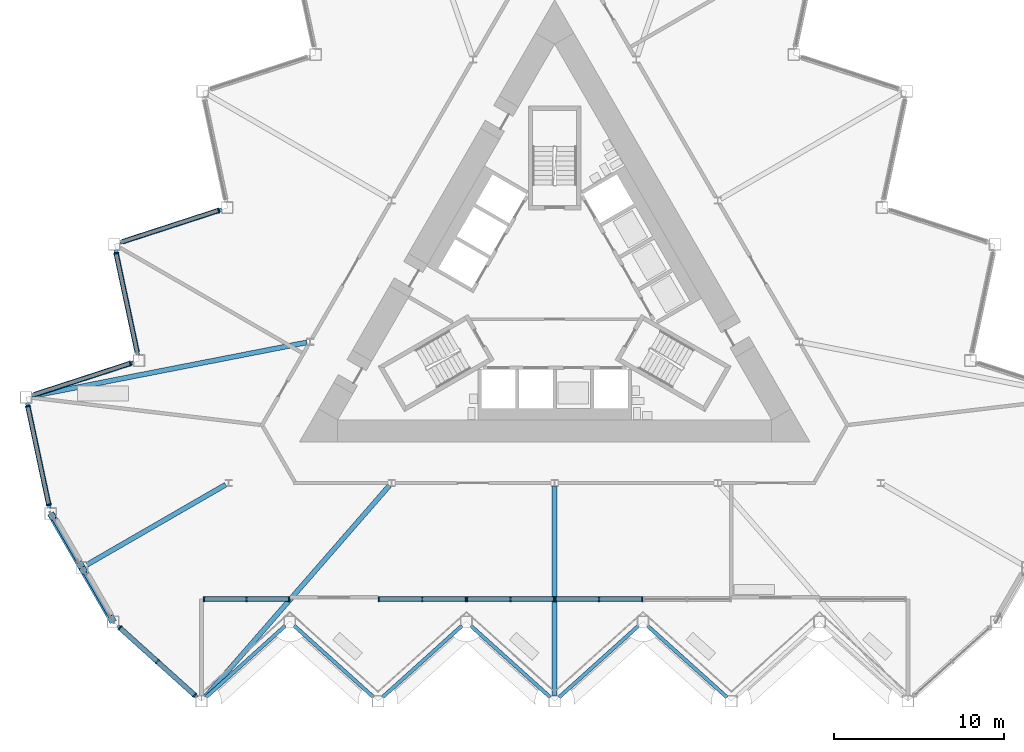
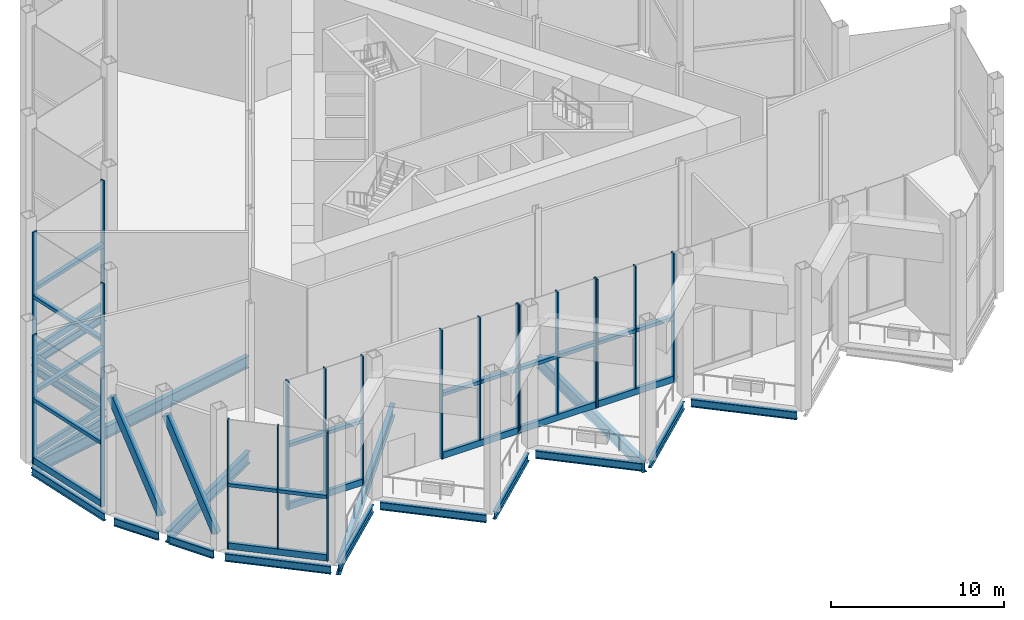
# One storey, part 4 of 17: 45 members, 17 beams, 6 elements without a shape of their own.
"""IFC4 building model written with IfcOpenShell, lengths in metres."""

from ifc_helpers import new_model, si_unit, direction, frame, origin, origin_2d, place, context, subcontext, project, spatial, rectangle, hollow_rectangle, i_section, extrude, material, layer, layer_set, material_profile, profile_set, type_object, element, aggregate, save


model = new_model("IFC4")

# Units and contexts
model_context = context("Model", 3, precision=1e-05, world=origin(), true_north=direction((0.0, 1.0)))
body_context = subcontext(model_context, "Body", "Model", "MODEL_VIEW")
ifc_project = project(units=[si_unit("LENGTHUNIT", "METRE"), si_unit("AREAUNIT", "SQUARE_METRE"), si_unit("VOLUMEUNIT", "CUBIC_METRE"), si_unit("PLANEANGLEUNIT", "RADIAN"), si_unit("MASSUNIT", "GRAM", prefix="KILO")], contexts=[model_context])

# Site, building, storey
site_placement = place(None, origin())
site = spatial("IfcSite", under=ifc_project, at=site_placement, CompositionType="ELEMENT")
building_placement = place(site_placement, origin())
building = spatial("IfcBuilding", under=site, at=building_placement, Name="Cormorant Prow Tower", CompositionType="ELEMENT")
storey_placement = place(building_placement, frame((0.0, 0.0, 277.800048828125)))
storey = spatial("IfcBuildingStorey", under=building, at=storey_placement, Name="L63", CompositionType="ELEMENT", Elevation=277.800048828125)

# Members
ifc_material_1 = material(Name="Structural steel ASTM A500 Gr C", Category="steel")
ifc_material_profile_1 = material_profile(ifc_material_1, hollow_rectangle(XDim=0.406494140625, YDim=0.406494140625, WallThickness=0.01171875, at=origin_2d()), Name="HSS16x16x1/2")
ifc_profile_set_1 = profile_set([ifc_material_profile_1], Name="Structural steel ASTM A500 Gr C")
member_type_1 = type_object("IfcMemberType", Name="Chamfer brace HSS16x16x1/2", PredefinedType="BRACE", material=ifc_profile_set_1)
for number, where, z_axis, x_axis, name in (
    (1, (-27.859619140625, -15.892578125, 0.958251953125), (-0.210649248419, 0.36486853724, 0.90691666909), (-0.866033317326, -0.499986293093, 0.0), "Chamfer brace BR2 at WSW00 L63"),
    (2, (-26.0244140625, -19.0712890625, 0.958251953125), (-0.210649248419, 0.36486853724, 0.90691666909), (-0.866033317326, -0.499986293093, 0.0), "Chamfer brace BR2 at WSW01 L63"),
):
    element("IfcMember", number, at=place(storey_placement, frame(where, z_axis=z_axis, x_axis=x_axis)), inside=storey, type_object=member_type_1, Name=name, PredefinedType="BRACE", context=body_context, shape_type="SweptSolid", body=[
        extrude(hollow_rectangle(XDim=0.406494140625, YDim=0.406494140625, WallThickness=0.01171875, at=origin_2d()), origin(), (0.0, 0.0, 1.0), 7.921630859375),
    ])

# Beams
ifc_material_2 = material(Name="Structural steel ASTM A992 Gr 50", Category="steel")
ifc_material_profile_2 = material_profile(ifc_material_2, i_section(OverallWidth=0.29296875, OverallDepth=0.845703125, WebThickness=0.015380859375, FlangeThickness=0.0244140625, at=origin_2d()), Name="W33x141")
ifc_profile_set_2 = profile_set([ifc_material_profile_2], Name="Structural steel ASTM A992 Gr 50")
beam_type_1 = type_object("IfcBeamType", Name="Radial floor beam W33x141", PredefinedType="BEAM", material=ifc_profile_set_2)
beam_1_placement = place(storey_placement, frame((-14.5634765625, -2.80322265625, -0.77294921875), z_axis=(-0.981419133752, -0.191876220269, 0.0), x_axis=(0.191876220269, -0.981419133752, 0.0)))
element("IfcBeam", 3, at=beam_1_placement, inside=storey, type_object=beam_type_1, Name="Radial floor beam FB2 4 L63", PredefinedType="BEAM", context=body_context, shape_type="SweptSolid", body=[
    extrude(i_section(OverallWidth=0.29296875, OverallDepth=0.845703125, WebThickness=0.015380859375, FlangeThickness=0.0244140625, at=origin_2d()), origin(), (0.0, 0.0, 1.0), 16.462158203125),
])
beam_2_placement = place(storey_placement, frame((-19.32958984375, -11.159912109375, -0.77294921875), z_axis=(-0.866021726843, -0.500006368596, 0.0), x_axis=(0.500006368596, -0.866021726843, 0.0)))
element("IfcBeam", 4, at=beam_2_placement, inside=storey, type_object=beam_type_1, Name="Radial floor beam FB2 5 L63", PredefinedType="BEAM", context=body_context, shape_type="SweptSolid", body=[
    extrude(i_section(OverallWidth=0.29296875, OverallDepth=0.845703125, WebThickness=0.015380859375, FlangeThickness=0.0244140625, at=origin_2d()), origin(), (0.0, 0.0, 1.0), 9.40380859375),
])
beam_3_placement = place(storey_placement, frame((-9.70947265625, -11.210693359375, -0.77294921875), z_axis=(-0.656874593387, -0.753999846527, 0.0), x_axis=(0.753999846527, -0.656874593387, 0.0)))
element("IfcBeam", 5, at=beam_3_placement, inside=storey, type_object=beam_type_1, Name="Radial floor beam FB2 6 L63", PredefinedType="BEAM", context=body_context, shape_type="SweptSolid", body=[
    extrude(i_section(OverallWidth=0.29296875, OverallDepth=0.845703125, WebThickness=0.015380859375, FlangeThickness=0.0244140625, at=origin_2d()), origin(), (0.0, 0.0, 1.0), 16.4619140625),
])
beam_4_placement = place(storey_placement, frame((0.0, -11.259765625, -0.77294921875), z_axis=(0.0, -1.0, 0.0), x_axis=(1.0, 0.0, 0.0)))
element("IfcBeam", 6, at=beam_4_placement, inside=storey, type_object=beam_type_1, Name="Radial floor beam FB2 7 L63", PredefinedType="BEAM", context=body_context, shape_type="SweptSolid", body=[
    extrude(i_section(OverallWidth=0.29296875, OverallDepth=0.845703125, WebThickness=0.015380859375, FlangeThickness=0.0244140625, at=origin_2d()), origin(), (0.0, 0.0, 1.0), 12.277099609375),
])

# Curtain wall, members
ifc_material_3 = material(Name="Aluminium 6063-T6", Category="aluminium")
ifc_layer = layer(ifc_material_3, 0.300048828125)
ifc_layer_set = layer_set([ifc_layer], Name="Aluminium 6063-T6")
curtain_wall_type = type_object("IfcCurtainWallType", Name="Sky lobby unitised curtain wall 300", PredefinedType="NOTDEFINED", material=ifc_layer_set)
curtain_wall_1_placement = place(storey_placement, origin())
curtain_wall_1 = element("IfcCurtainWall", 7, at=curtain_wall_1_placement, inside=storey, type_object=curtain_wall_type, Name="Sky lobby curtain wall S00", PredefinedType="NOTDEFINED")
ifc_material_4 = material(Name="Aluminium 6063-T6", Category="aluminium")
ifc_material_profile_3 = material_profile(ifc_material_4, rectangle(XDim=0.300048828125, YDim=0.239990234375, at=origin_2d()), Name="Sky lobby intermediate transom 300x240")
ifc_profile_set_3 = profile_set([ifc_material_profile_3], Name="Aluminium 6063-T6")
member_type_2 = type_object("IfcMemberType", Name="Sky lobby intermediate transom 300x240", PredefinedType="USERDEFINED", material=ifc_profile_set_3)
member_1_placement = place(storey_placement, frame((-25.509521484375, -19.604248046875, 4.550537109375), z_axis=(0.743184154332, -0.669086924659, 0.0), x_axis=(0.669086924659, 0.743184154332, 0.0)))
member_1 = element("IfcMember", 8, at=member_1_placement, type_object=member_type_2, Name="Sky lobby intermediate transom S00", ObjectType="TRANSOM", PredefinedType="USERDEFINED", context=body_context, shape_type="SweptSolid", body=[
    extrude(rectangle(XDim=0.300048828125, YDim=0.239990234375, at=origin_2d()), origin(), (0.0, 0.0, 1.0), 2.869873046875),
])
member_2_placement = place(storey_placement, frame((-23.3173828125, -21.577880859375, 4.550537109375), z_axis=(0.743146066164, -0.669129228435, 0.0), x_axis=(0.669129228435, 0.743146066164, 0.0)))
member_2 = element("IfcMember", 9, at=member_2_placement, type_object=member_type_2, Name="Sky lobby intermediate transom S00", ObjectType="TRANSOM", PredefinedType="USERDEFINED", context=body_context, shape_type="SweptSolid", body=[
    extrude(rectangle(XDim=0.300048828125, YDim=0.239990234375, at=origin_2d()), origin(), (0.0, 0.0, 1.0), 2.86962890625),
])

curtain_wall_2_placement = place(storey_placement, origin())
curtain_wall_2 = element("IfcCurtainWall", 10, at=curtain_wall_2_placement, inside=storey, type_object=curtain_wall_type, Name="Sky lobby curtain wall WNW00-WNW09", PredefinedType="NOTDEFINED")
member_3_placement = place(storey_placement, frame((-19.78759765625, 4.93505859375, 4.550537109375), z_axis=(-0.951060219088, -0.309005598117, 0.0), x_axis=(0.309005598117, -0.951060219088, 0.0)))
member_3 = element("IfcMember", 11, at=member_3_placement, type_object=member_type_2, Name="Sky lobby intermediate transom WNW00-WNW09", ObjectType="TRANSOM", PredefinedType="USERDEFINED", context=body_context, shape_type="SweptSolid", body=[
    extrude(rectangle(XDim=0.300048828125, YDim=0.239990234375, at=origin_2d()), origin(), (0.0, 0.0, 1.0), 5.899658203125),
])
member_4_placement = place(storey_placement, frame((-25.754150390625, 2.388916015625, 4.550537109375), z_axis=(0.207912209842, -0.978147490412, 0.0), x_axis=(0.978147490412, 0.207912209842, 0.0)))
member_4 = element("IfcMember", 12, at=member_4_placement, type_object=member_type_2, Name="Sky lobby intermediate transom WNW00-WNW09", ObjectType="TRANSOM", PredefinedType="USERDEFINED", context=body_context, shape_type="SweptSolid", body=[
    extrude(rectangle(XDim=0.300048828125, YDim=0.239990234375, at=origin_2d()), origin(), (0.0, 0.0, 1.0), 5.8994140625),
])
member_5_placement = place(storey_placement, frame((-24.975830078125, -4.05126953125, 4.550537109375), z_axis=(-0.951060219088, -0.309005598117, 0.0), x_axis=(0.309005598117, -0.951060219088, 0.0)))
member_5 = element("IfcMember", 13, at=member_5_placement, type_object=member_type_2, Name="Sky lobby intermediate transom WNW00-WNW09", ObjectType="TRANSOM", PredefinedType="USERDEFINED", context=body_context, shape_type="SweptSolid", body=[
    extrude(rectangle(XDim=0.300048828125, YDim=0.239990234375, at=origin_2d()), origin(), (0.0, 0.0, 1.0), 5.899658203125),
])
member_6_placement = place(storey_placement, frame((-30.9423828125, -6.597412109375, 4.550537109375), z_axis=(0.207912943458, -0.978147334476, 0.0), x_axis=(0.978147334476, 0.207912943458, 0.0)))
member_6 = element("IfcMember", 14, at=member_6_placement, type_object=member_type_2, Name="Sky lobby intermediate transom WNW00-WNW09", ObjectType="TRANSOM", PredefinedType="USERDEFINED", context=body_context, shape_type="SweptSolid", body=[
    extrude(rectangle(XDim=0.300048828125, YDim=0.239990234375, at=origin_2d()), origin(), (0.0, 0.0, 1.0), 5.819580078125),
])

curtain_wall_3_placement = place(storey_placement, origin())
curtain_wall_3 = element("IfcCurtainWall", 15, at=curtain_wall_3_placement, inside=storey, type_object=curtain_wall_type, Name="Sky lobby curtain wall loggia S01", PredefinedType="NOTDEFINED")
member_7_placement = place(storey_placement, frame((-20.56298828125, -17.886962890625, 4.550537109375), z_axis=(1.0, 0.0, 0.0), x_axis=(0.0, 1.0, 0.0)))
member_7 = element("IfcMember", 16, at=member_7_placement, type_object=member_type_2, Name="Sky lobby intermediate transom loggia S01", ObjectType="TRANSOM", PredefinedType="USERDEFINED", context=body_context, shape_type="SweptSolid", body=[
    extrude(rectangle(XDim=0.300048828125, YDim=0.239990234375, at=origin_2d()), origin(), (0.0, 0.0, 1.0), 2.419189453125),
])
member_8_placement = place(storey_placement, frame((-18.063720703125, -17.886962890625, 4.550537109375), z_axis=(1.0, 0.0, 0.0), x_axis=(0.0, 1.0, 0.0)))
member_8 = element("IfcMember", 17, at=member_8_placement, type_object=member_type_2, Name="Sky lobby intermediate transom loggia S01", ObjectType="TRANSOM", PredefinedType="USERDEFINED", context=body_context, shape_type="SweptSolid", body=[
    extrude(rectangle(XDim=0.300048828125, YDim=0.239990234375, at=origin_2d()), origin(), (0.0, 0.0, 1.0), 2.4189453125),
])

curtain_wall_4_placement = place(storey_placement, origin())
curtain_wall_4 = element("IfcCurtainWall", 18, at=curtain_wall_4_placement, inside=storey, type_object=curtain_wall_type, Name="Sky lobby curtain wall loggia S03", PredefinedType="NOTDEFINED")
member_9_placement = place(storey_placement, frame((-10.29638671875, -17.886962890625, 4.550537109375), z_axis=(1.0, 0.0, 0.0), x_axis=(0.0, 1.0, 0.0)))
member_9 = element("IfcMember", 19, at=member_9_placement, type_object=member_type_2, Name="Sky lobby intermediate transom loggia S03", ObjectType="TRANSOM", PredefinedType="USERDEFINED", context=body_context, shape_type="SweptSolid", body=[
    extrude(rectangle(XDim=0.300048828125, YDim=0.239990234375, at=origin_2d()), origin(), (0.0, 0.0, 1.0), 2.47412109375),
])
member_10_placement = place(storey_placement, frame((-7.742431640625, -17.886962890625, 4.550537109375), z_axis=(1.0, 0.0, 0.0), x_axis=(0.0, 1.0, 0.0)))
member_10 = element("IfcMember", 20, at=member_10_placement, type_object=member_type_2, Name="Sky lobby intermediate transom loggia S03", ObjectType="TRANSOM", PredefinedType="USERDEFINED", context=body_context, shape_type="SweptSolid", body=[
    extrude(rectangle(XDim=0.300048828125, YDim=0.239990234375, at=origin_2d()), origin(), (0.0, 0.0, 1.0), 2.47412109375),
])

curtain_wall_5_placement = place(storey_placement, origin())
curtain_wall_5 = element("IfcCurtainWall", 21, at=curtain_wall_5_placement, inside=storey, type_object=curtain_wall_type, Name="Sky lobby curtain wall loggia S04", PredefinedType="NOTDEFINED")
member_11_placement = place(storey_placement, frame((-5.108154296875, -17.886962890625, 4.550537109375), z_axis=(1.0, 0.0, 0.0), x_axis=(0.0, 1.0, 0.0)))
member_11 = element("IfcMember", 22, at=member_11_placement, type_object=member_type_2, Name="Sky lobby intermediate transom loggia S04", ObjectType="TRANSOM", PredefinedType="USERDEFINED", context=body_context, shape_type="SweptSolid", body=[
    extrude(rectangle(XDim=0.300048828125, YDim=0.239990234375, at=origin_2d()), origin(), (0.0, 0.0, 1.0), 2.47412109375),
])
member_12_placement = place(storey_placement, frame((-2.55419921875, -17.886962890625, 4.550537109375), z_axis=(1.0, 0.0, 0.0), x_axis=(0.0, 1.0, 0.0)))
member_12 = element("IfcMember", 23, at=member_12_placement, type_object=member_type_2, Name="Sky lobby intermediate transom loggia S04", ObjectType="TRANSOM", PredefinedType="USERDEFINED", context=body_context, shape_type="SweptSolid", body=[
    extrude(rectangle(XDim=0.300048828125, YDim=0.239990234375, at=origin_2d()), origin(), (0.0, 0.0, 1.0), 2.47412109375),
])

curtain_wall_6_placement = place(storey_placement, origin())
curtain_wall_6 = element("IfcCurtainWall", 24, at=curtain_wall_6_placement, inside=storey, type_object=curtain_wall_type, Name="Sky lobby curtain wall loggia S05", PredefinedType="NOTDEFINED")
member_13_placement = place(storey_placement, frame((0.080078125, -17.886962890625, 4.550537109375), z_axis=(1.0, 0.0, 0.0), x_axis=(0.0, 1.0, 0.0)))
member_13 = element("IfcMember", 25, at=member_13_placement, type_object=member_type_2, Name="Sky lobby intermediate transom loggia S05", ObjectType="TRANSOM", PredefinedType="USERDEFINED", context=body_context, shape_type="SweptSolid", body=[
    extrude(rectangle(XDim=0.300048828125, YDim=0.239990234375, at=origin_2d()), origin(), (0.0, 0.0, 1.0), 2.47412109375),
])
member_14_placement = place(storey_placement, frame((2.634033203125, -17.886962890625, 4.550537109375), z_axis=(1.0, 0.0, 0.0), x_axis=(0.0, 1.0, 0.0)))
member_14 = element("IfcMember", 26, at=member_14_placement, type_object=member_type_2, Name="Sky lobby intermediate transom loggia S05", ObjectType="TRANSOM", PredefinedType="USERDEFINED", context=body_context, shape_type="SweptSolid", body=[
    extrude(rectangle(XDim=0.300048828125, YDim=0.239990234375, at=origin_2d()), origin(), (0.0, 0.0, 1.0), 2.47412109375),
])

# Member
ifc_material_5 = material(Name="Aluminium 6063-T6", Category="aluminium")
ifc_material_profile_4 = material_profile(ifc_material_5, rectangle(XDim=0.300048828125, YDim=0.080078125, at=origin_2d()), Name="Sky lobby mullion 80x300")
ifc_profile_set_4 = profile_set([ifc_material_profile_4], Name="Aluminium 6063-T6")
member_type_3 = type_object("IfcMemberType", Name="Sky lobby mullion 80x300", PredefinedType="MULLION", material=ifc_profile_set_4)
member_15_placement = place(storey_placement, frame((-25.5390625, -19.577392578125, 0.0), z_axis=(0.0, 0.0, 1.0), x_axis=(0.669130584309, 0.743144845331, 0.0)))
member_15 = element("IfcMember", 27, at=member_15_placement, type_object=member_type_3, Name="Sky lobby mullion S00", PredefinedType="MULLION", context=body_context, shape_type="SweptSolid", body=[
    extrude(rectangle(XDim=0.300048828125, YDim=0.080078125, at=origin_2d()), origin(), (0.0, 0.0, 1.0), 9.100830078125),
])

member_16_placement = place(storey_placement, frame((-23.34716796875, -21.55126953125, 0.449951171875), z_axis=(0.0, 0.0, 1.0), x_axis=(0.669130584309, 0.743144845331, 0.0)))
member_16 = element("IfcMember", 28, at=member_16_placement, type_object=member_type_3, Name="Sky lobby mullion S00", PredefinedType="MULLION", context=body_context, shape_type="SweptSolid", body=[
    extrude(rectangle(XDim=0.300048828125, YDim=0.080078125, at=origin_2d()), origin(), (0.0, 0.0, 1.0), 8.65087890625),
])

member_17_placement = place(storey_placement, frame((-21.155029296875, -23.52490234375, 0.0), z_axis=(0.0, 0.0, 1.0), x_axis=(0.669130584309, 0.743144845331, 0.0)))
member_17 = element("IfcMember", 29, at=member_17_placement, type_object=member_type_3, Name="Sky lobby mullion S00", PredefinedType="MULLION", context=body_context, shape_type="SweptSolid", body=[
    extrude(rectangle(XDim=0.300048828125, YDim=0.080078125, at=origin_2d()), origin(), (0.0, 0.0, 1.0), 9.100830078125),
])

member_18_placement = place(storey_placement, frame((-19.749755859375, 4.947265625, 0.0), z_axis=(0.0, 0.0, 1.0), x_axis=(0.309016942337, -0.951056533203, 0.0)))
member_18 = element("IfcMember", 30, at=member_18_placement, type_object=member_type_3, Name="Sky lobby mullion WNW00-WNW09", PredefinedType="MULLION", context=body_context, shape_type="SweptSolid", body=[
    extrude(rectangle(XDim=0.300048828125, YDim=0.080078125, at=origin_2d()), origin(), (0.0, 0.0, 1.0), 9.100830078125),
])

member_19_placement = place(storey_placement, frame((-25.762451171875, 2.427978515625, 0.0), z_axis=(0.0, 0.0, 1.0), x_axis=(0.97814761105, 0.207911642282, 0.0)))
member_19 = element("IfcMember", 31, at=member_19_placement, type_object=member_type_3, Name="Sky lobby mullion WNW00-WNW09", PredefinedType="MULLION", context=body_context, shape_type="SweptSolid", body=[
    extrude(rectangle(XDim=0.300048828125, YDim=0.080078125, at=origin_2d()), origin(), (0.0, 0.0, 1.0), 9.100830078125),
])

member_20_placement = place(storey_placement, frame((-24.93798828125, -4.038818359375, 0.0), z_axis=(0.0, 0.0, 1.0), x_axis=(0.309016984432, -0.951056519526, 0.0)))
member_20 = element("IfcMember", 32, at=member_20_placement, type_object=member_type_3, Name="Sky lobby mullion WNW00-WNW09", PredefinedType="MULLION", context=body_context, shape_type="SweptSolid", body=[
    extrude(rectangle(XDim=0.300048828125, YDim=0.080078125, at=origin_2d()), origin(), (0.0, 0.0, 1.0), 9.100830078125),
])

member_21_placement = place(storey_placement, frame((-30.95068359375, -6.558349609375, 0.0), z_axis=(0.0, 0.0, 1.0), x_axis=(0.97814760486, 0.207911671407, 0.0)))
member_21 = element("IfcMember", 33, at=member_21_placement, type_object=member_type_3, Name="Sky lobby mullion WNW00-WNW09", PredefinedType="MULLION", context=body_context, shape_type="SweptSolid", body=[
    extrude(rectangle(XDim=0.300048828125, YDim=0.080078125, at=origin_2d()), origin(), (0.0, 0.0, 1.0), 9.100830078125),
])

member_22_placement = place(storey_placement, frame((-29.72412109375, -12.328857421875, 0.0), z_axis=(0.0, 0.0, 1.0), x_axis=(0.97814760486, 0.207911671407, 0.0)))
member_22 = element("IfcMember", 34, at=member_22_placement, type_object=member_type_3, Name="Sky lobby mullion WNW00-WNW09", PredefinedType="MULLION", context=body_context, shape_type="SweptSolid", body=[
    extrude(rectangle(XDim=0.300048828125, YDim=0.080078125, at=origin_2d()), origin(), (0.0, 0.0, 1.0), 9.100830078125),
])

member_23_placement = place(storey_placement, frame((-20.60302734375, -17.886962890625, 0.0), z_axis=(0.0, 0.0, 1.0), x_axis=(0.0, 1.0, 0.0)))
member_23 = element("IfcMember", 35, at=member_23_placement, type_object=member_type_3, Name="Sky lobby mullion loggia S01", PredefinedType="MULLION", context=body_context, shape_type="SweptSolid", body=[
    extrude(rectangle(XDim=0.300048828125, YDim=0.080078125, at=origin_2d()), origin(), (0.0, 0.0, 1.0), 9.100830078125),
])

member_24_placement = place(storey_placement, frame((-18.103759765625, -17.886962890625, 0.449951171875), z_axis=(0.0, 0.0, 1.0), x_axis=(0.0, 1.0, 0.0)))
member_24 = element("IfcMember", 36, at=member_24_placement, type_object=member_type_3, Name="Sky lobby mullion loggia S01", PredefinedType="MULLION", context=body_context, shape_type="SweptSolid", body=[
    extrude(rectangle(XDim=0.300048828125, YDim=0.080078125, at=origin_2d()), origin(), (0.0, 0.0, 1.0), 8.65087890625),
])

member_25_placement = place(storey_placement, frame((-15.604736328125, -17.886962890625, 0.0), z_axis=(0.0, 0.0, 1.0), x_axis=(0.0, 1.0, 0.0)))
member_25 = element("IfcMember", 37, at=member_25_placement, type_object=member_type_3, Name="Sky lobby mullion loggia S01", PredefinedType="MULLION", context=body_context, shape_type="SweptSolid", body=[
    extrude(rectangle(XDim=0.300048828125, YDim=0.080078125, at=origin_2d()), origin(), (0.0, 0.0, 1.0), 9.100830078125),
])

member_26_placement = place(storey_placement, frame((-10.33642578125, -17.886962890625, 0.0), z_axis=(0.0, 0.0, 1.0), x_axis=(0.0, 1.0, 0.0)))
member_26 = element("IfcMember", 38, at=member_26_placement, type_object=member_type_3, Name="Sky lobby mullion loggia S03", PredefinedType="MULLION", context=body_context, shape_type="SweptSolid", body=[
    extrude(rectangle(XDim=0.300048828125, YDim=0.080078125, at=origin_2d()), origin(), (0.0, 0.0, 1.0), 9.100830078125),
])

member_27_placement = place(storey_placement, frame((-7.782470703125, -17.886962890625, 0.449951171875), z_axis=(0.0, 0.0, 1.0), x_axis=(0.0, 1.0, 0.0)))
member_27 = element("IfcMember", 39, at=member_27_placement, type_object=member_type_3, Name="Sky lobby mullion loggia S03", PredefinedType="MULLION", context=body_context, shape_type="SweptSolid", body=[
    extrude(rectangle(XDim=0.300048828125, YDim=0.080078125, at=origin_2d()), origin(), (0.0, 0.0, 1.0), 8.65087890625),
])

member_28_placement = place(storey_placement, frame((-5.228271484375, -17.886962890625, 0.0), z_axis=(0.0, 0.0, 1.0), x_axis=(0.0, 1.0, 0.0)))
member_28 = element("IfcMember", 40, at=member_28_placement, type_object=member_type_3, Name="Sky lobby mullion loggia S03", PredefinedType="MULLION", context=body_context, shape_type="SweptSolid", body=[
    extrude(rectangle(XDim=0.300048828125, YDim=0.080078125, at=origin_2d()), origin(), (0.0, 0.0, 1.0), 9.100830078125),
])

member_29_placement = place(storey_placement, frame((-5.148193359375, -17.886962890625, 0.0), z_axis=(0.0, 0.0, 1.0), x_axis=(0.0, 1.0, 0.0)))
member_29 = element("IfcMember", 41, at=member_29_placement, type_object=member_type_3, Name="Sky lobby mullion loggia S04", PredefinedType="MULLION", context=body_context, shape_type="SweptSolid", body=[
    extrude(rectangle(XDim=0.300048828125, YDim=0.080078125, at=origin_2d()), origin(), (0.0, 0.0, 1.0), 9.100830078125),
])

member_30_placement = place(storey_placement, frame((-2.59423828125, -17.886962890625, 0.449951171875), z_axis=(0.0, 0.0, 1.0), x_axis=(0.0, 1.0, 0.0)))
member_30 = element("IfcMember", 42, at=member_30_placement, type_object=member_type_3, Name="Sky lobby mullion loggia S04", PredefinedType="MULLION", context=body_context, shape_type="SweptSolid", body=[
    extrude(rectangle(XDim=0.300048828125, YDim=0.080078125, at=origin_2d()), origin(), (0.0, 0.0, 1.0), 8.65087890625),
])

member_31_placement = place(storey_placement, frame((-0.0400390625, -17.886962890625, 0.0), z_axis=(0.0, 0.0, 1.0), x_axis=(0.0, 1.0, 0.0)))
member_31 = element("IfcMember", 43, at=member_31_placement, type_object=member_type_3, Name="Sky lobby mullion loggia S04", PredefinedType="MULLION", context=body_context, shape_type="SweptSolid", body=[
    extrude(rectangle(XDim=0.300048828125, YDim=0.080078125, at=origin_2d()), origin(), (0.0, 0.0, 1.0), 9.100830078125),
])

member_32_placement = place(storey_placement, frame((0.0400390625, -17.886962890625, 0.0), z_axis=(0.0, 0.0, 1.0), x_axis=(0.0, 1.0, 0.0)))
member_32 = element("IfcMember", 44, at=member_32_placement, type_object=member_type_3, Name="Sky lobby mullion loggia S05", PredefinedType="MULLION", context=body_context, shape_type="SweptSolid", body=[
    extrude(rectangle(XDim=0.300048828125, YDim=0.080078125, at=origin_2d()), origin(), (0.0, 0.0, 1.0), 9.100830078125),
])

member_33_placement = place(storey_placement, frame((2.59423828125, -17.886962890625, 0.449951171875), z_axis=(0.0, 0.0, 1.0), x_axis=(0.0, 1.0, 0.0)))
member_33 = element("IfcMember", 45, at=member_33_placement, type_object=member_type_3, Name="Sky lobby mullion loggia S05", PredefinedType="MULLION", context=body_context, shape_type="SweptSolid", body=[
    extrude(rectangle(XDim=0.300048828125, YDim=0.080078125, at=origin_2d()), origin(), (0.0, 0.0, 1.0), 8.65087890625),
])

member_34_placement = place(storey_placement, frame((5.148193359375, -17.886962890625, 0.0), z_axis=(0.0, 0.0, 1.0), x_axis=(0.0, 1.0, 0.0)))
member_34 = element("IfcMember", 46, at=member_34_placement, type_object=member_type_3, Name="Sky lobby mullion loggia S05", PredefinedType="MULLION", context=body_context, shape_type="SweptSolid", body=[
    extrude(rectangle(XDim=0.300048828125, YDim=0.080078125, at=origin_2d()), origin(), (0.0, 0.0, 1.0), 9.100830078125),
])

ifc_material_6 = material(Name="Terracotta", Category="masonry")
ifc_material_profile_5 = material_profile(ifc_material_6, rectangle(XDim=0.219970703125, YDim=0.449951171875, at=origin_2d()), Name="Sky lobby terracotta spandrel rail 220x450")
ifc_profile_set_5 = profile_set([ifc_material_profile_5], Name="Terracotta")
member_type_4 = type_object("IfcMemberType", Name="Sky lobby terracotta spandrel rail 220x450", PredefinedType="USERDEFINED", material=ifc_profile_set_5)
member_35_placement = place(storey_placement, frame((-25.509521484375, -19.604248046875, 0.224853515625), z_axis=(0.743160622624, -0.669113061433, 0.0), x_axis=(0.669113061433, 0.743160622624, 0.0)))
member_35 = element("IfcMember", 47, at=member_35_placement, type_object=member_type_4, Name="Sky lobby spandrel rail S00", ObjectType="TRANSOM", PredefinedType="USERDEFINED", context=body_context, shape_type="SweptSolid", body=[
    extrude(rectangle(XDim=0.219970703125, YDim=0.449951171875, at=origin_2d()), origin(), (0.0, 0.0, 1.0), 5.8193359375),
])

aggregate(curtain_wall_1, [member_15, member_16, member_17, member_35, member_1, member_2])

member_36_placement = place(storey_placement, frame((-19.78759765625, 4.93505859375, 0.224853515625), z_axis=(-0.951060219088, -0.309005598117, 0.0), x_axis=(0.309005598117, -0.951060219088, 0.0)))
member_36 = element("IfcMember", 48, at=member_36_placement, type_object=member_type_4, Name="Sky lobby spandrel rail WNW00-WNW09", ObjectType="TRANSOM", PredefinedType="USERDEFINED", context=body_context, shape_type="SweptSolid", body=[
    extrude(rectangle(XDim=0.219970703125, YDim=0.449951171875, at=origin_2d()), origin(), (0.0, 0.0, 1.0), 5.899658203125),
])

member_37_placement = place(storey_placement, frame((-25.754150390625, 2.388916015625, 0.224853515625), z_axis=(0.207912209842, -0.978147490412, 0.0), x_axis=(0.978147490412, 0.207912209842, 0.0)))
member_37 = element("IfcMember", 49, at=member_37_placement, type_object=member_type_4, Name="Sky lobby spandrel rail WNW00-WNW09", ObjectType="TRANSOM", PredefinedType="USERDEFINED", context=body_context, shape_type="SweptSolid", body=[
    extrude(rectangle(XDim=0.219970703125, YDim=0.449951171875, at=origin_2d()), origin(), (0.0, 0.0, 1.0), 5.8994140625),
])

member_38_placement = place(storey_placement, frame((-24.975830078125, -4.05126953125, 0.224853515625), z_axis=(-0.951060219088, -0.309005598117, 0.0), x_axis=(0.309005598117, -0.951060219088, 0.0)))
member_38 = element("IfcMember", 50, at=member_38_placement, type_object=member_type_4, Name="Sky lobby spandrel rail WNW00-WNW09", ObjectType="TRANSOM", PredefinedType="USERDEFINED", context=body_context, shape_type="SweptSolid", body=[
    extrude(rectangle(XDim=0.219970703125, YDim=0.449951171875, at=origin_2d()), origin(), (0.0, 0.0, 1.0), 5.899658203125),
])

member_39_placement = place(storey_placement, frame((-30.9423828125, -6.597412109375, 0.224853515625), z_axis=(0.207912943458, -0.978147334476, 0.0), x_axis=(0.978147334476, 0.207912943458, 0.0)))
member_39 = element("IfcMember", 51, at=member_39_placement, type_object=member_type_4, Name="Sky lobby spandrel rail WNW00-WNW09", ObjectType="TRANSOM", PredefinedType="USERDEFINED", context=body_context, shape_type="SweptSolid", body=[
    extrude(rectangle(XDim=0.219970703125, YDim=0.449951171875, at=origin_2d()), origin(), (0.0, 0.0, 1.0), 5.819580078125),
])

aggregate(curtain_wall_2, [member_18, member_36, member_3, member_19, member_37, member_4, member_20, member_38, member_5, member_21, member_22, member_39, member_6])

member_40_placement = place(storey_placement, frame((-20.56298828125, -17.886962890625, 0.224853515625), z_axis=(1.0, 0.0, 0.0), x_axis=(0.0, 1.0, 0.0)))
member_40 = element("IfcMember", 52, at=member_40_placement, type_object=member_type_4, Name="Sky lobby spandrel rail loggia S01", ObjectType="TRANSOM", PredefinedType="USERDEFINED", context=body_context, shape_type="SweptSolid", body=[
    extrude(rectangle(XDim=0.219970703125, YDim=0.449951171875, at=origin_2d()), origin(), (0.0, 0.0, 1.0), 4.918212890625),
])

aggregate(curtain_wall_3, [member_23, member_24, member_25, member_40, member_7, member_8])

member_41_placement = place(storey_placement, frame((-10.29638671875, -17.886962890625, 0.224853515625), z_axis=(1.0, 0.0, 0.0), x_axis=(0.0, 1.0, 0.0)))
member_41 = element("IfcMember", 53, at=member_41_placement, type_object=member_type_4, Name="Sky lobby spandrel rail loggia S03", ObjectType="TRANSOM", PredefinedType="USERDEFINED", context=body_context, shape_type="SweptSolid", body=[
    extrude(rectangle(XDim=0.219970703125, YDim=0.449951171875, at=origin_2d()), origin(), (0.0, 0.0, 1.0), 5.028076171875),
])

aggregate(curtain_wall_4, [member_26, member_27, member_28, member_41, member_9, member_10])

member_42_placement = place(storey_placement, frame((-5.108154296875, -17.886962890625, 0.224853515625), z_axis=(1.0, 0.0, 0.0), x_axis=(0.0, 1.0, 0.0)))
member_42 = element("IfcMember", 54, at=member_42_placement, type_object=member_type_4, Name="Sky lobby spandrel rail loggia S04", ObjectType="TRANSOM", PredefinedType="USERDEFINED", context=body_context, shape_type="SweptSolid", body=[
    extrude(rectangle(XDim=0.219970703125, YDim=0.449951171875, at=origin_2d()), origin(), (0.0, 0.0, 1.0), 5.028076171875),
])

aggregate(curtain_wall_5, [member_29, member_30, member_31, member_42, member_11, member_12])

member_43_placement = place(storey_placement, frame((0.080078125, -17.886962890625, 0.224853515625), z_axis=(1.0, 0.0, 0.0), x_axis=(0.0, 1.0, 0.0)))
member_43 = element("IfcMember", 55, at=member_43_placement, type_object=member_type_4, Name="Sky lobby spandrel rail loggia S05", ObjectType="TRANSOM", PredefinedType="USERDEFINED", context=body_context, shape_type="SweptSolid", body=[
    extrude(rectangle(XDim=0.219970703125, YDim=0.449951171875, at=origin_2d()), origin(), (0.0, 0.0, 1.0), 5.028076171875),
])

aggregate(curtain_wall_6, [member_32, member_33, member_34, member_43, member_13, member_14])

# Beams
ifc_material_7 = material(Name="Structural steel ASTM A992 Gr 50", Category="steel")
ifc_material_profile_6 = material_profile(ifc_material_7, i_section(OverallWidth=0.2138671875, OverallDepth=0.549072265625, WebThickness=0.0146484375, FlangeThickness=0.023681640625, at=origin_2d()), Name="W21x93")
ifc_profile_set_6 = profile_set([ifc_material_profile_6], Name="Structural steel ASTM A992 Gr 50")
beam_type_2 = type_object("IfcBeamType", Name="Spandrel beam W21x93", PredefinedType="SPANDREL", material=ifc_profile_set_6)
for number, where, z_axis, x_axis, name in (
    (56, (-25.68115234375, -19.44970703125, -0.62451171875), (0.743156918576, -0.669117175368, 0.0), (0.669117175368, 0.743156918576, 0.0), "Spandrel beam SB2 S00-S01 L63"),
    (57, (-20.492919921875, -23.65283203125, -0.62451171875), (0.743156918576, 0.669117175368, 0.0), (-0.669117175368, 0.743156918576, 0.0), "Spandrel beam SB2 S01-S02 L63"),
    (58, (-15.3046875, -19.44970703125, -0.62451171875), (0.743156918576, -0.669117175368, 0.0), (0.669117175368, 0.743156918576, 0.0), "Spandrel beam SB2 S02-S03 L63"),
    (59, (-10.116455078125, -23.65283203125, -0.62451171875), (0.743156918576, 0.669117175368, 0.0), (-0.669117175368, 0.743156918576, 0.0), "Spandrel beam SB2 S03-S04 L63"),
    (60, (-4.92822265625, -19.44970703125, -0.62451171875), (0.743156918576, -0.669117175368, 0.0), (0.669117175368, 0.743156918576, 0.0), "Spandrel beam SB2 S04-S05 L63"),
    (61, (0.260009765625, -23.65283203125, -0.62451171875), (0.743156918576, 0.669117175368, 0.0), (-0.669117175368, 0.743156918576, 0.0), "Spandrel beam SB2 S05-S06 L63"),
    (62, (5.4482421875, -19.44970703125, -0.62451171875), (0.743156918576, -0.669117175368, 0.0), (0.669117175368, 0.743156918576, 0.0), "Spandrel beam SB2 S06-S07 L63"),
):
    element("IfcBeam", number, at=place(storey_placement, frame(where, z_axis=z_axis, x_axis=x_axis)), inside=storey, type_object=beam_type_2, Name=name, PredefinedType="SPANDREL", context=body_context, shape_type="SweptSolid", body=[
        extrude(i_section(OverallWidth=0.2138671875, OverallDepth=0.549072265625, WebThickness=0.0146484375, FlangeThickness=0.023681640625, at=origin_2d()), origin(), (0.0, 0.0, 1.0), 6.281494140625),
    ])
for number, where, z_axis, x_axis, name in (
    (63, (-19.568115234375, 5.00634765625, -0.62451171875), (-0.951061771288, -0.309000820701, 0.0), (0.309000820701, -0.951061771288, 0.0), "Spandrel beam SB2 WNW06-WNW07 L63"),
    (64, (-25.80224609375, 2.61474609375, -0.62451171875), (0.207941499013, -0.978141264331, 0.0), (0.978141264331, 0.207941499013, 0.0), "Spandrel beam SB2 WNW07-WNW08 L63"),
    (65, (-24.75634765625, -3.97998046875, -0.62451171875), (-0.951061771288, -0.309000820701, 0.0), (0.309000820701, -0.951061771288, 0.0), "Spandrel beam SB2 WNW08-WNW09 L63"),
    (66, (-30.990478515625, -6.37158203125, -0.62451171875), (0.207941499013, -0.978141264331, 0.0), (0.978141264331, 0.207941499013, 0.0), "Spandrel beam SB2 WNW09-WSW00 L63"),
):
    element("IfcBeam", number, at=place(storey_placement, frame(where, z_axis=z_axis, x_axis=x_axis)), inside=storey, type_object=beam_type_2, Name=name, PredefinedType="SPANDREL", context=body_context, shape_type="SweptSolid", body=[
        extrude(i_section(OverallWidth=0.2138671875, OverallDepth=0.549072265625, WebThickness=0.0146484375, FlangeThickness=0.023681640625, at=origin_2d()), origin(), (0.0, 0.0, 1.0), 6.28125),
    ])
for number, where, z_axis, x_axis, name in (
    (67, (-29.4365234375, -13.1611328125, -0.62451171875), (0.499966725515, -0.866044613965, 0.0), (0.866044613965, 0.499966725515, 0.0), "Spandrel beam SB2 WSW00-WSW01 L63"),
    (68, (-27.601318359375, -16.33984375, -0.62451171875), (0.499966725515, -0.866044613965, 0.0), (0.866044613965, 0.499966725515, 0.0), "Spandrel beam SB2 WSW01-S00 L63"),
):
    element("IfcBeam", number, at=place(storey_placement, frame(where, z_axis=z_axis, x_axis=x_axis)), inside=storey, type_object=beam_type_2, Name=name, PredefinedType="SPANDREL", context=body_context, shape_type="SweptSolid", body=[
        extrude(i_section(OverallWidth=0.2138671875, OverallDepth=0.549072265625, WebThickness=0.0146484375, FlangeThickness=0.023681640625, at=origin_2d()), origin(), (0.0, 0.0, 1.0), 2.970458984375),
    ])

save(model, "model.ifc")
